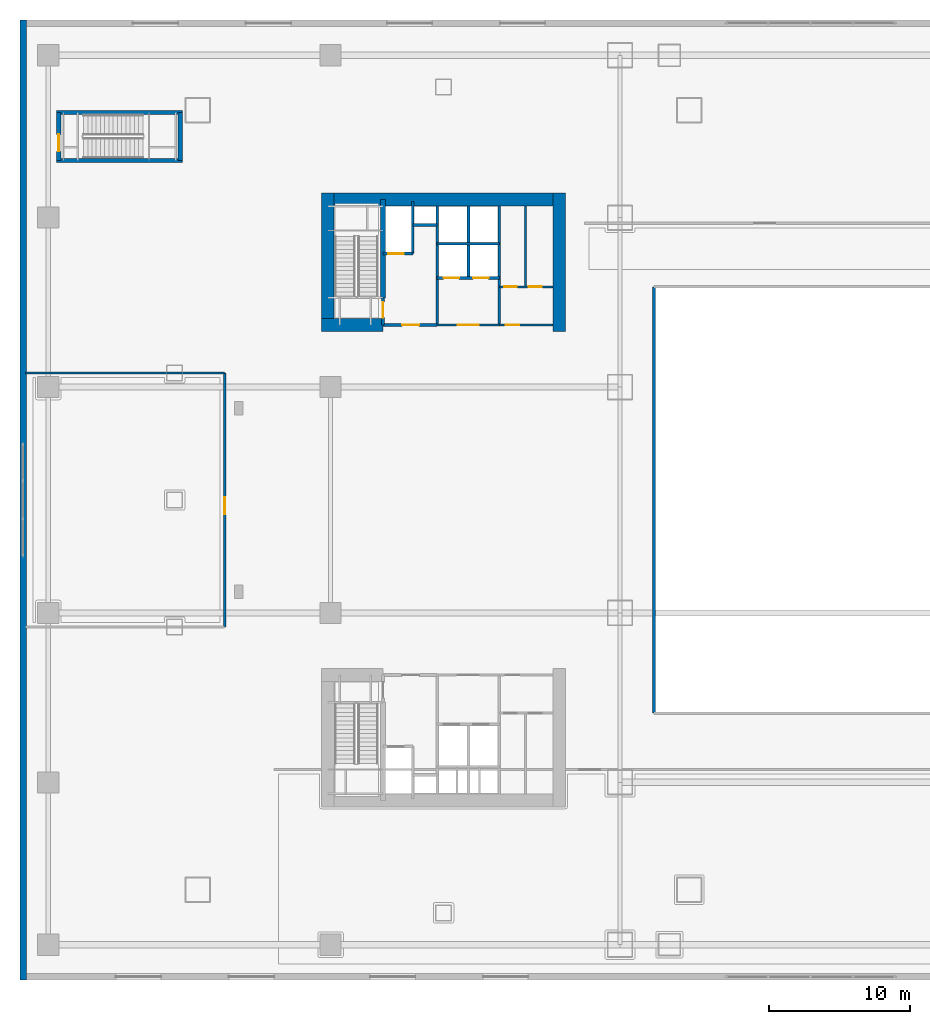
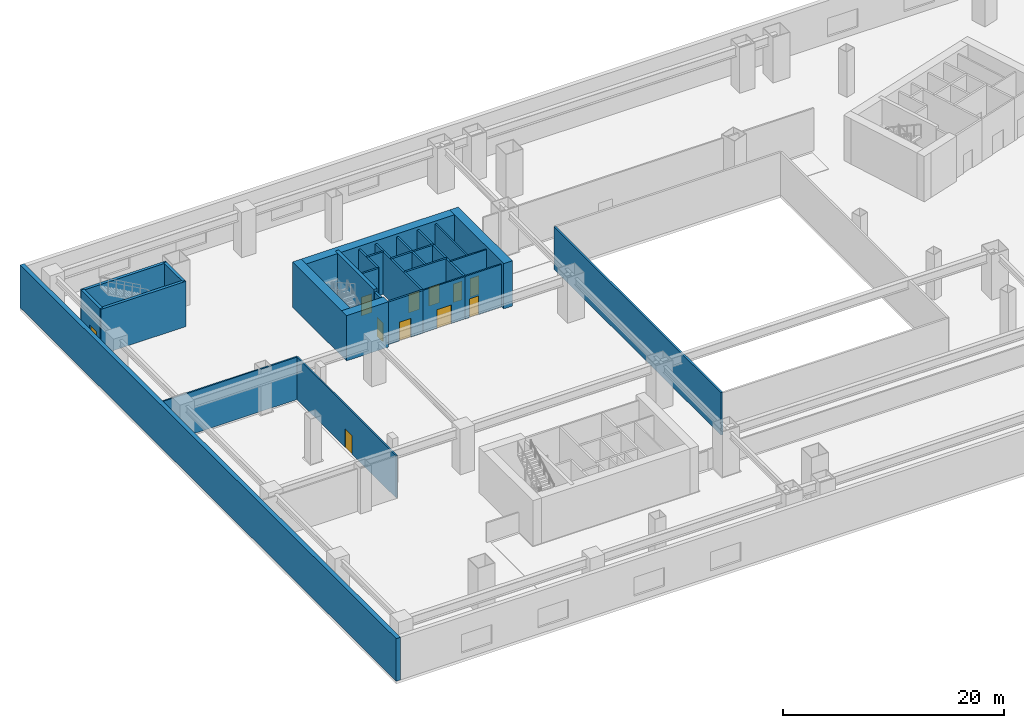
# One storey, part 25 of 35: 27 walls, 11 doors, 11 openings.
"""IFC4 building model written with IfcOpenShell, lengths in metres."""

from ifc_helpers import new_model, si_unit, direction, frame, frame_2d, origin, place, context, subcontext, project, spatial, rectangle, extrude, material, layer, layer_set, type_object, element, fill, save


model = new_model("IFC4")

# Units and contexts
model_context = context("Model", 3, precision=1e-05, world=origin(), true_north=direction((0.0, 1.0)))
body_context = subcontext(model_context, "Body", "Model", "MODEL_VIEW")
ifc_project = project(units=[si_unit("LENGTHUNIT", "METRE"), si_unit("AREAUNIT", "SQUARE_METRE"), si_unit("VOLUMEUNIT", "CUBIC_METRE"), si_unit("PLANEANGLEUNIT", "RADIAN"), si_unit("MASSUNIT", "GRAM", prefix="KILO")], contexts=[model_context])

# Site, building, storey
site_placement = place(None, origin())
site = spatial("IfcSite", under=ifc_project, at=site_placement, CompositionType="ELEMENT")
building_placement = place(site_placement, origin())
building = spatial("IfcBuilding", under=site, at=building_placement, Name="Qiaolan Cultural Towers", CompositionType="ELEMENT")
storey_placement = place(building_placement, frame((0.0, 0.0, 11.5)))
storey = spatial("IfcBuildingStorey", under=building, at=storey_placement, Name="L02", CompositionType="ELEMENT", Elevation=11.5)

# Walls
ifc_material_1 = material(Name="Concrete C50", Category="concrete")
ifc_layer_1 = layer(ifc_material_1, 0.35009765625)
ifc_layer_set_1 = layer_set([ifc_layer_1], Name="Concrete C50")
wall_type_1 = type_object("IfcWallType", Name="WL-CORE-350", PredefinedType="SHEAR", material=ifc_layer_set_1)
wall_1_placement = place(storey_placement, frame((25.719970703125, 48.300048828125, 0.0), z_axis=(0.0, 0.0, 1.0), x_axis=(0.0, 1.0, 0.0)))
element("IfcWall", 1, at=wall_1_placement, inside=storey, type_object=wall_type_1, Name="L02 T1-CN Stair Core Dividing Web", PredefinedType="SHEAR", context=body_context, shape_type="SweptSolid", body=[
    extrude(rectangle(XDim=6.97998046875, YDim=0.35009765625, at=frame_2d((3.489990234375, 0.0))), origin(), (0.0, 0.0, 1.0), 5.0),
])
for number, where, z_axis, x_axis, name in (
    (2, (2.60009765625, 58.050048828125, 0.0), (0.0, 0.0, 1.0), (1.0, 0.0, 0.0), "L02 STP1 Stair Shaft Wall S"),
    (3, (2.60009765625, 61.449951171875, 0.0), (0.0, 0.0, 1.0), (1.0, 0.0, 0.0), "L02 STP1 Stair Shaft Wall N"),
):
    element("IfcWall", number, at=place(storey_placement, frame(where, z_axis=z_axis, x_axis=x_axis)), inside=storey, type_object=wall_type_1, Name=name, PredefinedType="SHEAR", context=body_context, shape_type="SweptSolid", body=[
        extrude(rectangle(XDim=8.89990234375, YDim=0.300048828125, at=frame_2d((4.449951171875, 0.0))), origin(), (0.0, 0.0, 1.0), 5.0),
    ])
wall_2_placement = place(storey_placement, frame((11.35009765625, 58.050048828125, 0.0), z_axis=(0.0, 0.0, 1.0), x_axis=(0.0, 1.0, 0.0)))
element("IfcWall", 4, at=wall_2_placement, inside=storey, type_object=wall_type_1, Name="L02 STP1 Stair Shaft Wall E", PredefinedType="SHEAR", context=body_context, shape_type="SweptSolid", body=[
    extrude(rectangle(XDim=3.39990234375, YDim=0.300048828125, at=frame_2d((1.699951171875, 0.0))), origin(), (0.0, 0.0, 1.0), 5.0),
])

# Wall, opening, door
wall_3_placement = place(storey_placement, frame((2.75, 58.050048828125, 0.0), z_axis=(0.0, 0.0, 1.0), x_axis=(0.0, 1.0, 0.0)))
wall_3 = element("IfcWall", 5, at=wall_3_placement, inside=storey, type_object=wall_type_1, Name="L02 STP1 Stair Shaft Wall W", PredefinedType="SHEAR", context=body_context, shape_type="SweptSolid", body=[
    extrude(rectangle(XDim=3.39990234375, YDim=0.300048828125, at=frame_2d((1.699951171875, 0.0))), origin(), (0.0, 0.0, 1.0), 5.0),
])
opening_1_placement = place(wall_3_placement, frame((0.64990234375, 0.0, 0.0)))
opening_1 = element("IfcOpeningElement", 6, at=opening_1_placement, cuts=wall_3, Name="Opening FD-03", PredefinedType="OPENING", context=body_context, shape_type="SweptSolid", body=[
    extrude(rectangle(XDim=1.199951171875, YDim=2.050048828125, at=frame_2d((0.60009765625, 1.02490234375))), frame((0.0, 0.159912109375, 0.0), z_axis=(0.0, -1.0, 0.0), x_axis=(1.0, 0.0, 0.0)), (0.0, 0.0, 1.0), 0.320068359375),
])
ifc_material_2 = material(Name="Galvanized Steel Smokeproof Lobby Fire Door", Category="steel")
door_type_1 = type_object("IfcDoorType", Name="DR-FD90-1200", OperationType="NOTDEFINED", PredefinedType="DOOR", material=ifc_material_2)
door_1_placement = place(opening_1_placement, origin())
door_1 = element("IfcDoor", 7, at=door_1_placement, inside=storey, type_object=door_type_1, Name="L02 Exit Stair ST-P1 Fire Door", OperationType="SINGLE_SWING_LEFT", OverallHeight=2.050048828125, OverallWidth=1.199951171875, PredefinedType="DOOR", context=body_context, shape_type="SweptSolid", body=[
    extrude(rectangle(XDim=1.199951171875, YDim=2.050048828125, at=frame_2d((0.60009765625, 1.02490234375))), frame((0.0, 0.02490234375, 0.0), z_axis=(0.0, -1.0, 0.0), x_axis=(1.0, 0.0, 0.0)), (0.0, 0.0, 1.0), 0.050048828125),
])
fill(opening_1, door_1)

# Walls
ifc_material_3 = material(Name="Concrete C60", Category="concrete")
ifc_layer_2 = layer(ifc_material_3, 0.89990234375)
ifc_layer_set_2 = layer_set([ifc_layer_2], Name="Concrete C60")
wall_type_2 = type_object("IfcWallType", Name="WL-CORE-900", PredefinedType="SHEAR", material=ifc_layer_set_2)
wall_4_placement = place(storey_placement, frame((21.35009765625, 55.280029296875, 0.0), z_axis=(0.0, 0.0, 1.0), x_axis=(1.0, 0.0, 0.0)))
element("IfcWall", 8, at=wall_4_placement, inside=storey, type_object=wall_type_2, Name="L02 T1-CN Outer Core Shear Wall", PredefinedType="SHEAR", context=body_context, shape_type="SweptSolid", body=[
    extrude(rectangle(XDim=17.2998046875, YDim=0.89990234375, at=frame_2d((8.64990234375, 0.0))), origin(), (0.0, 0.0, 1.0), 5.0),
])
for number, where, z_axis, x_axis, name in (
    (9, (21.800048828125, 45.949951171875, 0.0), (0.0, 0.0, 1.0), (0.0, 1.0, 0.0), "L02 T1-CN West Core Shear Wall"),
    (10, (38.199951171875, 45.949951171875, 0.0), (0.0, 0.0, 1.0), (0.0, 1.0, 0.0), "L02 T1-CN East Core Shear Wall"),
):
    element("IfcWall", number, at=place(storey_placement, frame(where, z_axis=z_axis, x_axis=x_axis)), inside=storey, type_object=wall_type_2, Name=name, PredefinedType="SHEAR", context=body_context, shape_type="SweptSolid", body=[
        extrude(rectangle(XDim=9.780029296875, YDim=0.89990234375, at=frame_2d((4.89013671875, 0.0))), origin(), (0.0, 0.0, 1.0), 5.0),
    ])
wall_5_placement = place(storey_placement, frame((21.35009765625, 46.39990234375, 0.0), z_axis=(0.0, 0.0, 1.0), x_axis=(1.0, 0.0, 0.0)))
element("IfcWall", 11, at=wall_5_placement, inside=storey, type_object=wall_type_2, Name="L02 T1-CN Stair Front Shear Wall", PredefinedType="SHEAR", context=body_context, shape_type="SweptSolid", body=[
    extrude(rectangle(XDim=4.369873046875, YDim=0.89990234375, at=frame_2d((2.18505859375, 0.0))), origin(), (0.0, 0.0, 1.0), 5.0),
])
ifc_material_4 = material(Name="Precast Concrete C50 Bush-Hammered Granite Pier", Category="masonry")
ifc_layer_3 = layer(ifc_material_4, 0.449951171875)
ifc_layer_set_3 = layer_set([ifc_layer_3], Name="Precast Concrete C50 Bush-Hammered Granite Pier")
wall_type_3 = type_object("IfcWallType", Name="WL-EXT-POD-450", PredefinedType="SOLIDWALL", material=ifc_layer_set_3)
wall_6_placement = place(storey_placement, frame((0.22509765625, 0.0, 0.0), z_axis=(0.0, 0.0, 1.0), x_axis=(0.0, 1.0, 0.0)))
element("IfcWall", 12, at=wall_6_placement, inside=storey, type_object=wall_type_3, Name="L02 Podium Precast Facade Wall WEST", PredefinedType="SOLIDWALL", context=body_context, shape_type="SweptSolid", body=[
    extrude(rectangle(XDim=68.0, YDim=0.449951171875, at=frame_2d((34.0, 0.0))), origin(), (0.0, 0.0, 1.0), 4.699951171875),
])

# Wall, opening, door
ifc_material_5 = material(Name="Concrete C35 Fire Wall", Category="concrete")
ifc_layer_4 = layer(ifc_material_5, 0.199951171875)
ifc_layer_set_4 = layer_set([ifc_layer_4], Name="Concrete C35 Fire Wall")
wall_type_4 = type_object("IfcWallType", Name="WL-FIRE-200", PredefinedType="PARTITIONING", material=ifc_layer_set_4)
wall_7_placement = place(storey_placement, frame((25.719970703125, 46.39990234375, 0.0), z_axis=(0.0, 0.0, 1.0), x_axis=(0.0, 1.0, 0.0)))
wall_7 = element("IfcWall", 13, at=wall_7_placement, inside=storey, type_object=wall_type_4, Name="L02 T1-CN Smokeproof Stair Entry Wall", PredefinedType="PARTITIONING", context=body_context, shape_type="SweptSolid", body=[
    extrude(rectangle(XDim=1.900146484375, YDim=0.199951171875, at=frame_2d((0.9501953125, 0.0))), origin(), (0.0, 0.0, 1.0), 4.68505859375),
])
opening_2_placement = place(wall_7_placement, frame((0.52001953125, 0.0, 0.0)))
opening_2 = element("IfcOpeningElement", 14, at=opening_2_placement, cuts=wall_7, Name="Opening FD-04", PredefinedType="OPENING", context=body_context, shape_type="SweptSolid", body=[
    extrude(rectangle(XDim=1.10009765625, YDim=2.050048828125, at=frame_2d((0.550048828125, 1.02490234375))), frame((0.0, 0.10986328125, 0.0), z_axis=(0.0, -1.0, 0.0), x_axis=(1.0, 0.0, 0.0)), (0.0, 0.0, 1.0), 0.219970703125),
])
ifc_material_6 = material(Name="Galvanized Steel Command Fire Door", Category="steel")
door_type_2 = type_object("IfcDoorType", Name="DR-FD90-1100", OperationType="NOTDEFINED", PredefinedType="DOOR", material=ifc_material_6)
door_2_placement = place(opening_2_placement, origin())
door_2 = element("IfcDoor", 15, at=door_2_placement, inside=storey, type_object=door_type_2, Name="L02 ST-W2 Smokeproof Stair Fire Door", OperationType="SINGLE_SWING_LEFT", OverallHeight=2.050048828125, OverallWidth=1.10009765625, PredefinedType="DOOR", context=body_context, shape_type="SweptSolid", body=[
    extrude(rectangle(XDim=1.10009765625, YDim=2.050048828125, at=frame_2d((0.550048828125, 1.02490234375))), frame((0.0, 0.02490234375, 0.0), z_axis=(0.0, -1.0, 0.0), x_axis=(1.0, 0.0, 0.0)), (0.0, 0.0, 1.0), 0.050048828125),
])
fill(opening_2, door_2)

# Wall
wall_8_placement = place(storey_placement, frame((29.550048828125, 46.39990234375, 0.0), z_axis=(0.0, 0.0, 1.0), x_axis=(0.0, 1.0, 0.0)))
element("IfcWall", 16, at=wall_8_placement, inside=storey, type_object=wall_type_4, Name="L02 T1-CN Firefighting Zone Wall", PredefinedType="PARTITIONING", context=body_context, shape_type="SweptSolid", body=[
    extrude(rectangle(XDim=8.43017578125, YDim=0.199951171875, at=frame_2d((4.215087890625, 0.0))), origin(), (0.0, 0.0, 1.0), 4.68505859375),
])

# Wall, opening, door
wall_9_placement = place(storey_placement, frame((25.719970703125, 46.39990234375, 0.0), z_axis=(0.0, 0.0, 1.0), x_axis=(1.0, 0.0, 0.0)))
wall_9 = element("IfcWall", 17, at=wall_9_placement, inside=storey, type_object=wall_type_4, Name="L02 T1-CN Firefighting Lobby Front Wall", PredefinedType="PARTITIONING", context=body_context, shape_type="SweptSolid", body=[
    extrude(rectangle(XDim=3.830078125, YDim=0.199951171875, at=frame_2d((1.9150390625, 0.0))), origin(), (0.0, 0.0, 1.0), 4.68505859375),
])
opening_3_placement = place(wall_9_placement, frame((1.35009765625, 0.0, 0.0)))
opening_3 = element("IfcOpeningElement", 18, at=opening_3_placement, cuts=wall_9, Name="Opening FD-03", PredefinedType="OPENING", context=body_context, shape_type="SweptSolid", body=[
    extrude(rectangle(XDim=1.199951171875, YDim=2.050048828125, at=frame_2d((0.60009765625, 1.02490234375))), frame((0.0, 0.10986328125, 0.0), z_axis=(0.0, -1.0, 0.0), x_axis=(1.0, 0.0, 0.0)), (0.0, 0.0, 1.0), 0.219970703125),
])
door_3_placement = place(opening_3_placement, origin())
door_3 = element("IfcDoor", 19, at=door_3_placement, inside=storey, type_object=door_type_1, Name="L02 FFL-W2 Firefighting Lobby Fire Door", OperationType="SINGLE_SWING_LEFT", OverallHeight=2.050048828125, OverallWidth=1.199951171875, PredefinedType="DOOR", context=body_context, shape_type="SweptSolid", body=[
    extrude(rectangle(XDim=1.199951171875, YDim=2.050048828125, at=frame_2d((0.60009765625, 1.02490234375))), frame((0.0, 0.02490234375, 0.0), z_axis=(0.0, -1.0, 0.0), x_axis=(1.0, 0.0, 0.0)), (0.0, 0.0, 1.0), 0.050048828125),
])
fill(opening_3, door_3)

wall_10_placement = place(storey_placement, frame((25.719970703125, 51.449951171875, 0.0), z_axis=(0.0, 0.0, 1.0), x_axis=(1.0, 0.0, 0.0)))
wall_10 = element("IfcWall", 20, at=wall_10_placement, inside=storey, type_object=wall_type_4, Name="L02 T1-CN Firefighting Shaft Front Wall", PredefinedType="PARTITIONING", context=body_context, shape_type="SweptSolid", body=[
    extrude(rectangle(XDim=2.10009765625, YDim=0.199951171875, at=frame_2d((1.050048828125, 0.0))), origin(), (0.0, 0.0, 1.0), 4.68505859375),
])
opening_4_placement = place(wall_10_placement, frame((0.35009765625, 0.0, 0.0)))
opening_4 = element("IfcOpeningElement", 21, at=opening_4_placement, cuts=wall_10, Name="Opening LD-01", PredefinedType="OPENING", context=body_context, shape_type="SweptSolid", body=[
    extrude(rectangle(XDim=1.10009765625, YDim=2.050048828125, at=frame_2d((0.550048828125, 1.02490234375))), frame((0.0, 0.10986328125, 0.0), z_axis=(0.0, -1.0, 0.0), x_axis=(1.0, 0.0, 0.0)), (0.0, 0.0, 1.0), 0.219970703125),
])
ifc_material_7 = material(Name="Brushed Stainless Steel S30408 Centre-Parting Lift Landing Door", Category="steel")
door_type_3 = type_object("IfcDoorType", Name="DR-LIFT-1100", OperationType="NOTDEFINED", PredefinedType="DOOR", material=ifc_material_7)
door_4_placement = place(opening_4_placement, origin())
door_4 = element("IfcDoor", 22, at=door_4_placement, inside=storey, type_object=door_type_3, Name="L02 FFL-W2 Firefighting Lift Landing Door", OperationType="DOUBLE_DOOR_SLIDING", OverallHeight=2.050048828125, OverallWidth=1.10009765625, PredefinedType="DOOR", context=body_context, shape_type="SweptSolid", body=[
    extrude(rectangle(XDim=1.10009765625, YDim=2.050048828125, at=frame_2d((0.550048828125, 1.02490234375))), frame((0.0, 0.02490234375, 0.0), z_axis=(0.0, -1.0, 0.0), x_axis=(1.0, 0.0, 0.0)), (0.0, 0.0, 1.0), 0.050048828125),
])
fill(opening_4, door_4)

# Walls
wall_11_placement = place(storey_placement, frame((27.820068359375, 51.449951171875, 0.0), z_axis=(0.0, 0.0, 1.0), x_axis=(0.0, 1.0, 0.0)))
element("IfcWall", 23, at=wall_11_placement, inside=storey, type_object=wall_type_4, Name="L02 T1-CN Firefighting Hoistway East Wall", PredefinedType="PARTITIONING", context=body_context, shape_type="SweptSolid", body=[
    extrude(rectangle(XDim=3.699951171875, YDim=0.199951171875, at=frame_2d((1.85009765625, 0.0))), origin(), (0.0, 0.0, 1.0), 4.68505859375),
])
wall_12_placement = place(storey_placement, frame((27.820068359375, 53.47998046875, 0.0), z_axis=(0.0, 0.0, 1.0), x_axis=(1.0, 0.0, 0.0)))
element("IfcWall", 24, at=wall_12_placement, inside=storey, type_object=wall_type_4, Name="L02 T1-CN Pressurization Shaft Front Wall", PredefinedType="PARTITIONING", context=body_context, shape_type="SweptSolid", body=[
    extrude(rectangle(XDim=1.72998046875, YDim=0.199951171875, at=frame_2d((0.864990234375, 0.0))), origin(), (0.0, 0.0, 1.0), 4.68505859375),
])
wall_13_placement = place(storey_placement, frame((33.949951171875, 46.39990234375, 0.0), z_axis=(0.0, 0.0, 1.0), x_axis=(0.0, 1.0, 0.0)))
element("IfcWall", 25, at=wall_13_placement, inside=storey, type_object=wall_type_4, Name="L02 T1-CN Lift Core East Wall", PredefinedType="PARTITIONING", context=body_context, shape_type="SweptSolid", body=[
    extrude(rectangle(XDim=8.43017578125, YDim=0.199951171875, at=frame_2d((4.215087890625, 0.0))), origin(), (0.0, 0.0, 1.0), 4.68505859375),
])

# Wall, openings, doors
wall_14_placement = place(storey_placement, frame((29.550048828125, 49.719970703125, 0.0), z_axis=(0.0, 0.0, 1.0), x_axis=(1.0, 0.0, 0.0)))
wall_14 = element("IfcWall", 26, at=wall_14_placement, inside=storey, type_object=wall_type_4, Name="L02 T1-CN Passenger Lift Shaft Front Wall", PredefinedType="PARTITIONING", context=body_context, shape_type="SweptSolid", body=[
    extrude(rectangle(XDim=4.39990234375, YDim=0.199951171875, at=frame_2d((2.199951171875, 0.0))), origin(), (0.0, 0.0, 1.0), 4.68505859375),
])
opening_5_placement = place(wall_14_placement, frame((0.449951171875, 0.0, 0.0)))
opening_5 = element("IfcOpeningElement", 27, at=opening_5_placement, cuts=wall_14, Name="Opening LD-01", PredefinedType="OPENING", context=body_context, shape_type="SweptSolid", body=[
    extrude(rectangle(XDim=1.10009765625, YDim=2.050048828125, at=frame_2d((0.550048828125, 1.02490234375))), frame((0.0, 0.10986328125, 0.0), z_axis=(0.0, -1.0, 0.0), x_axis=(1.0, 0.0, 0.0)), (0.0, 0.0, 1.0), 0.219970703125),
])
opening_6_placement = place(wall_14_placement, frame((2.550048828125, 0.0, 0.0)))
opening_6 = element("IfcOpeningElement", 28, at=opening_6_placement, cuts=wall_14, Name="Opening LD-01", PredefinedType="OPENING", context=body_context, shape_type="SweptSolid", body=[
    extrude(rectangle(XDim=1.10009765625, YDim=2.050048828125, at=frame_2d((0.550048828125, 1.02490234375))), frame((0.0, 0.10986328125, 0.0), z_axis=(0.0, -1.0, 0.0), x_axis=(1.0, 0.0, 0.0)), (0.0, 0.0, 1.0), 0.219970703125),
])
door_5_placement = place(opening_5_placement, origin())
door_5 = element("IfcDoor", 29, at=door_5_placement, inside=storey, type_object=door_type_3, Name="L02 Passenger Lift 1 Landing Door", OperationType="DOUBLE_DOOR_SLIDING", OverallHeight=2.050048828125, OverallWidth=1.10009765625, PredefinedType="DOOR", context=body_context, shape_type="SweptSolid", body=[
    extrude(rectangle(XDim=1.10009765625, YDim=2.050048828125, at=frame_2d((0.550048828125, 1.02490234375))), frame((0.0, 0.02490234375, 0.0), z_axis=(0.0, -1.0, 0.0), x_axis=(1.0, 0.0, 0.0)), (0.0, 0.0, 1.0), 0.050048828125),
])
fill(opening_5, door_5)
door_6_placement = place(opening_6_placement, origin())
door_6 = element("IfcDoor", 30, at=door_6_placement, inside=storey, type_object=door_type_3, Name="L02 Passenger Lift 2 Landing Door", OperationType="DOUBLE_DOOR_SLIDING", OverallHeight=2.050048828125, OverallWidth=1.10009765625, PredefinedType="DOOR", context=body_context, shape_type="SweptSolid", body=[
    extrude(rectangle(XDim=1.10009765625, YDim=2.050048828125, at=frame_2d((0.550048828125, 1.02490234375))), frame((0.0, 0.02490234375, 0.0), z_axis=(0.0, -1.0, 0.0), x_axis=(1.0, 0.0, 0.0)), (0.0, 0.0, 1.0), 0.050048828125),
])
fill(opening_6, door_6)

# Walls
wall_15_placement = place(storey_placement, frame((31.780029296875, 49.719970703125, 0.0), z_axis=(0.0, 0.0, 1.0), x_axis=(0.0, 1.0, 0.0)))
element("IfcWall", 31, at=wall_15_placement, inside=storey, type_object=wall_type_4, Name="L02 T1-CN Lift Shaft Divider Wall", PredefinedType="PARTITIONING", context=body_context, shape_type="SweptSolid", body=[
    extrude(rectangle(XDim=5.110107421875, YDim=0.199951171875, at=frame_2d((2.55517578125, 0.0))), origin(), (0.0, 0.0, 1.0), 4.68505859375),
])
wall_16_placement = place(storey_placement, frame((29.550048828125, 52.14990234375, 0.0), z_axis=(0.0, 0.0, 1.0), x_axis=(1.0, 0.0, 0.0)))
element("IfcWall", 32, at=wall_16_placement, inside=storey, type_object=wall_type_4, Name="L02 T1-CN Passenger Lift Shaft Back Wall", PredefinedType="PARTITIONING", context=body_context, shape_type="SweptSolid", body=[
    extrude(rectangle(XDim=4.39990234375, YDim=0.199951171875, at=frame_2d((2.199951171875, 0.0))), origin(), (0.0, 0.0, 1.0), 4.68505859375),
])
wall_17_placement = place(storey_placement, frame((44.89990234375, 18.89990234375, 0.0), z_axis=(0.0, 0.0, 1.0), x_axis=(0.0, 1.0, 0.0)))
element("IfcWall", 33, at=wall_17_placement, inside=storey, type_object=wall_type_4, Name="L02 Podium Partition L02-AUDW", PredefinedType="PARTITIONING", context=body_context, shape_type="SweptSolid", body=[
    extrude(rectangle(XDim=30.2001953125, YDim=0.199951171875, at=frame_2d((15.10009765625, 0.0))), origin(), (0.0, 0.0, 1.0), 4.68505859375),
])

# Wall, opening, door
ifc_material_8 = material(Name="Autoclaved Aerated Concrete Block B06", Category="concrete")
ifc_layer_5 = layer(ifc_material_8, 0.14990234375)
ifc_layer_set_5 = layer_set([ifc_layer_5], Name="Autoclaved Aerated Concrete Block B06")
wall_type_5 = type_object("IfcWallType", Name="WL-PART-150", PredefinedType="PARTITIONING", material=ifc_layer_set_5)
wall_18_placement = place(storey_placement, frame((29.550048828125, 46.39990234375, 0.0), z_axis=(0.0, 0.0, 1.0), x_axis=(1.0, 0.0, 0.0)))
wall_18 = element("IfcWall", 34, at=wall_18_placement, inside=storey, type_object=wall_type_5, Name="L02 T1-CN Passenger Lift Lobby Front Wall", PredefinedType="PARTITIONING", context=body_context, shape_type="SweptSolid", body=[
    extrude(rectangle(XDim=4.39990234375, YDim=0.14990234375, at=frame_2d((2.199951171875, 0.0))), origin(), (0.0, 0.0, 1.0), 4.68505859375),
])
opening_7_placement = place(wall_18_placement, frame((1.449951171875, 0.0, 0.0)))
opening_7 = element("IfcOpeningElement", 35, at=opening_7_placement, cuts=wall_18, Name="Opening FD-05", PredefinedType="OPENING", context=body_context, shape_type="SweptSolid", body=[
    extrude(rectangle(XDim=1.5, YDim=2.050048828125, at=frame_2d((0.75, 1.02490234375))), frame((0.0, 0.0849609375, 0.0), z_axis=(0.0, -1.0, 0.0), x_axis=(1.0, 0.0, 0.0)), (0.0, 0.0, 1.0), 0.169921875),
])
ifc_material_9 = material(Name="Painted Steel Lift Lobby Fire Door", Category="steel")
door_type_4 = type_object("IfcDoorType", Name="DR-FD60-1500", OperationType="NOTDEFINED", PredefinedType="DOOR", material=ifc_material_9)
door_7_placement = place(opening_7_placement, origin())
door_7 = element("IfcDoor", 36, at=door_7_placement, inside=storey, type_object=door_type_4, Name="L02 Passenger Lift Lobby Entrance", OperationType="SINGLE_SWING_LEFT", OverallHeight=2.050048828125, OverallWidth=1.5, PredefinedType="DOOR", context=body_context, shape_type="SweptSolid", body=[
    extrude(rectangle(XDim=1.5, YDim=2.050048828125, at=frame_2d((0.75, 1.02490234375))), frame((0.0, 0.02490234375, 0.0), z_axis=(0.0, -1.0, 0.0), x_axis=(1.0, 0.0, 0.0)), (0.0, 0.0, 1.0), 0.050048828125),
])
fill(opening_7, door_7)

wall_19_placement = place(storey_placement, frame((33.949951171875, 46.39990234375, 0.0), z_axis=(0.0, 0.0, 1.0), x_axis=(1.0, 0.0, 0.0)))
wall_19 = element("IfcWall", 37, at=wall_19_placement, inside=storey, type_object=wall_type_5, Name="L02 T1-CN Sanitary Core Front Wall", PredefinedType="PARTITIONING", context=body_context, shape_type="SweptSolid", body=[
    extrude(rectangle(XDim=3.800048828125, YDim=0.14990234375, at=frame_2d((1.89990234375, 0.0))), origin(), (0.0, 0.0, 1.0), 4.68505859375),
])
opening_8_placement = place(wall_19_placement, frame((0.449951171875, 0.0, 0.0)))
opening_8 = element("IfcOpeningElement", 38, at=opening_8_placement, cuts=wall_19, Name="Opening ID-05", PredefinedType="OPENING", context=body_context, shape_type="SweptSolid", body=[
    extrude(rectangle(XDim=0.949951171875, YDim=2.050048828125, at=frame_2d((0.47509765625, 1.02490234375))), frame((0.0, 0.0849609375, 0.0), z_axis=(0.0, -1.0, 0.0), x_axis=(1.0, 0.0, 0.0)), (0.0, 0.0, 1.0), 0.169921875),
])
ifc_material_10 = material(Name="Fire-Rated Laminate Accessible Core Door", Category="timber")
door_type_5 = type_object("IfcDoorType", Name="DR-INT-950", OperationType="NOTDEFINED", PredefinedType="DOOR", material=ifc_material_10)
door_8_placement = place(opening_8_placement, origin())
door_8 = element("IfcDoor", 39, at=door_8_placement, inside=storey, type_object=door_type_5, Name="L02 Sanitary Vestibule Door", OperationType="SINGLE_SWING_LEFT", OverallHeight=2.050048828125, OverallWidth=0.949951171875, PredefinedType="DOOR", context=body_context, shape_type="SweptSolid", body=[
    extrude(rectangle(XDim=0.949951171875, YDim=2.050048828125, at=frame_2d((0.47509765625, 1.02490234375))), frame((0.0, 0.02490234375, 0.0), z_axis=(0.0, -1.0, 0.0), x_axis=(1.0, 0.0, 0.0)), (0.0, 0.0, 1.0), 0.050048828125),
])
fill(opening_8, door_8)

# Wall, openings, doors
wall_20_placement = place(storey_placement, frame((33.949951171875, 49.10009765625, 0.0), z_axis=(0.0, 0.0, 1.0), x_axis=(1.0, 0.0, 0.0)))
wall_20 = element("IfcWall", 40, at=wall_20_placement, inside=storey, type_object=wall_type_5, Name="L02 T1-CN Restroom Vestibule Wall", PredefinedType="PARTITIONING", context=body_context, shape_type="SweptSolid", body=[
    extrude(rectangle(XDim=3.800048828125, YDim=0.14990234375, at=frame_2d((1.89990234375, 0.0))), origin(), (0.0, 0.0, 1.0), 4.68505859375),
])
opening_9_placement = place(wall_20_placement, frame((0.35009765625, 0.0, 0.0)))
opening_9 = element("IfcOpeningElement", 41, at=opening_9_placement, cuts=wall_20, Name="Opening ID-06", PredefinedType="OPENING", context=body_context, shape_type="SweptSolid", body=[
    extrude(rectangle(XDim=0.89990234375, YDim=2.050048828125, at=frame_2d((0.449951171875, 1.02490234375))), frame((0.0, 0.0849609375, 0.0), z_axis=(0.0, -1.0, 0.0), x_axis=(1.0, 0.0, 0.0)), (0.0, 0.0, 1.0), 0.169921875),
])
opening_10_placement = place(wall_20_placement, frame((2.10009765625, 0.0, 0.0)))
opening_10 = element("IfcOpeningElement", 42, at=opening_10_placement, cuts=wall_20, Name="Opening ID-06", PredefinedType="OPENING", context=body_context, shape_type="SweptSolid", body=[
    extrude(rectangle(XDim=0.89990234375, YDim=2.050048828125, at=frame_2d((0.449951171875, 1.02490234375))), frame((0.0, 0.0849609375, 0.0), z_axis=(0.0, -1.0, 0.0), x_axis=(1.0, 0.0, 0.0)), (0.0, 0.0, 1.0), 0.169921875),
])
ifc_material_11 = material(Name="Fire-Rated Laminate Core Service Door", Category="timber")
door_type_6 = type_object("IfcDoorType", Name="DR-INT-900", OperationType="NOTDEFINED", PredefinedType="DOOR", material=ifc_material_11)
door_9_placement = place(opening_9_placement, origin())
door_9 = element("IfcDoor", 43, at=door_9_placement, inside=storey, type_object=door_type_6, Name="L02 Men Restroom Door", OperationType="SINGLE_SWING_LEFT", OverallHeight=2.050048828125, OverallWidth=0.89990234375, PredefinedType="DOOR", context=body_context, shape_type="SweptSolid", body=[
    extrude(rectangle(XDim=0.89990234375, YDim=2.050048828125, at=frame_2d((0.449951171875, 1.02490234375))), frame((0.0, 0.02490234375, 0.0), z_axis=(0.0, -1.0, 0.0), x_axis=(1.0, 0.0, 0.0)), (0.0, 0.0, 1.0), 0.050048828125),
])
fill(opening_9, door_9)
door_10_placement = place(opening_10_placement, origin())
door_10 = element("IfcDoor", 44, at=door_10_placement, inside=storey, type_object=door_type_6, Name="L02 Accessible & Women Restroom Door", OperationType="SINGLE_SWING_RIGHT", OverallHeight=2.050048828125, OverallWidth=0.89990234375, PredefinedType="DOOR", context=body_context, shape_type="SweptSolid", body=[
    extrude(rectangle(XDim=0.89990234375, YDim=2.050048828125, at=frame_2d((0.449951171875, 1.02490234375))), frame((0.0, 0.02490234375, 0.0), z_axis=(0.0, -1.0, 0.0), x_axis=(1.0, 0.0, 0.0)), (0.0, 0.0, 1.0), 0.050048828125),
])
fill(opening_10, door_10)

# Wall
wall_21_placement = place(storey_placement, frame((35.800048828125, 49.10009765625, 0.0), z_axis=(0.0, 0.0, 1.0), x_axis=(0.0, 1.0, 0.0)))
element("IfcWall", 45, at=wall_21_placement, inside=storey, type_object=wall_type_5, Name="L02 T1-CN Restroom Divider Wall", PredefinedType="PARTITIONING", context=body_context, shape_type="SweptSolid", body=[
    extrude(rectangle(XDim=5.72998046875, YDim=0.14990234375, at=frame_2d((2.864990234375, 0.0))), origin(), (0.0, 0.0, 1.0), 4.68505859375),
])

# Wall, opening, door
wall_22_placement = place(storey_placement, frame((14.5, 25.0, 0.0), z_axis=(0.0, 0.0, 1.0), x_axis=(0.0, 1.0, 0.0)))
wall_22 = element("IfcWall", 46, at=wall_22_placement, inside=storey, type_object=wall_type_5, Name="L02 Podium Partition L02-W1", PredefinedType="PARTITIONING", context=body_context, shape_type="SweptSolid", body=[
    extrude(rectangle(XDim=18.0, YDim=0.14990234375, at=frame_2d((9.0, 0.0))), origin(), (0.0, 0.0, 1.0), 4.68505859375),
])
opening_11_placement = place(wall_22_placement, frame((8.0, 0.0, 0.0)))
opening_11 = element("IfcOpeningElement", 47, at=opening_11_placement, cuts=wall_22, Name="Opening ID-02", PredefinedType="OPENING", context=body_context, shape_type="SweptSolid", body=[
    extrude(rectangle(XDim=1.199951171875, YDim=2.050048828125, at=frame_2d((0.60009765625, 1.02490234375))), frame((0.0, 0.0849609375, 0.0), z_axis=(0.0, -1.0, 0.0), x_axis=(1.0, 0.0, 0.0)), (0.0, 0.0, 1.0), 0.169921875),
])
ifc_material_12 = material(Name="Oak Veneer Solid-Core Gallery Door", Category="timber")
door_type_7 = type_object("IfcDoorType", Name="DR-INT-1200", OperationType="NOTDEFINED", PredefinedType="DOOR", material=ifc_material_12)
door_11_placement = place(opening_11_placement, origin())
door_11 = element("IfcDoor", 48, at=door_11_placement, inside=storey, type_object=door_type_7, Name="L02 Contemporary Painting Gallery Door", OperationType="SINGLE_SWING_LEFT", OverallHeight=2.050048828125, OverallWidth=1.199951171875, PredefinedType="DOOR", context=body_context, shape_type="SweptSolid", body=[
    extrude(rectangle(XDim=1.199951171875, YDim=2.050048828125, at=frame_2d((0.60009765625, 1.02490234375))), frame((0.0, 0.02490234375, 0.0), z_axis=(0.0, -1.0, 0.0), x_axis=(1.0, 0.0, 0.0)), (0.0, 0.0, 1.0), 0.050048828125),
])
fill(opening_11, door_11)

# Wall
wall_23_placement = place(storey_placement, frame((0.39990234375, 43.0, 0.0), z_axis=(0.0, 0.0, 1.0), x_axis=(1.0, 0.0, 0.0)))
element("IfcWall", 49, at=wall_23_placement, inside=storey, type_object=wall_type_5, Name="L02 Podium Partition L02-WN", PredefinedType="PARTITIONING", context=body_context, shape_type="SweptSolid", body=[
    extrude(rectangle(XDim=14.10009765625, YDim=0.14990234375, at=frame_2d((7.050048828125, 0.0))), origin(), (0.0, 0.0, 1.0), 4.68505859375),
])

save(model, "model.ifc")
